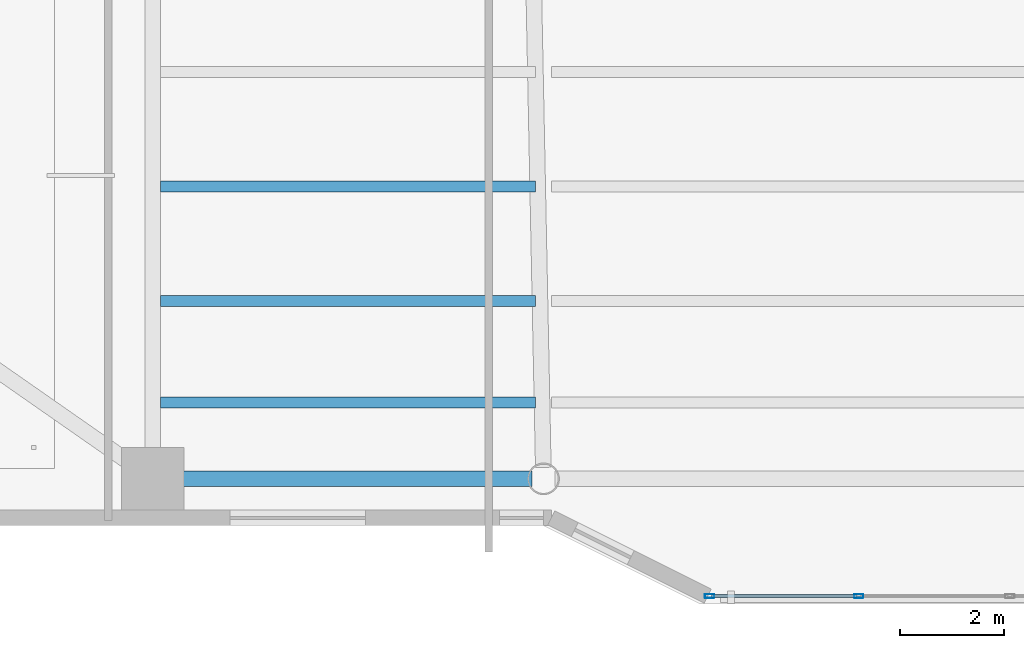
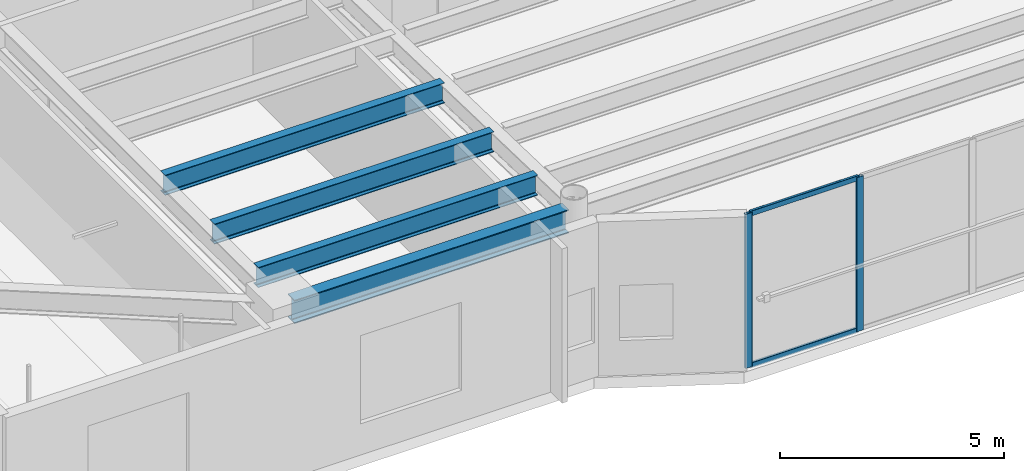
# One storey, part 3 of 40: 4 beams, 4 members, 1 element without a shape of its own.
"""IFC4 building model written with IfcOpenShell, lengths in metres."""

from ifc_helpers import new_model, si_unit, direction, frame, origin, origin_2d, place, context, subcontext, project, spatial, hollow_rectangle, i_section, extrude, material, layer, layer_set, material_profile, profile_set, type_object, element, aggregate, save


model = new_model("IFC4")

# Units and contexts
model_context = context("Model", 3, precision=1e-05, world=origin(), true_north=direction((0.0, 1.0)))
body_context = subcontext(model_context, "Body", "Model", "MODEL_VIEW")
ifc_project = project(units=[si_unit("LENGTHUNIT", "METRE"), si_unit("AREAUNIT", "SQUARE_METRE"), si_unit("VOLUMEUNIT", "CUBIC_METRE"), si_unit("PLANEANGLEUNIT", "RADIAN"), si_unit("MASSUNIT", "GRAM", prefix="KILO")], contexts=[model_context])

# Site, building, storey
site_placement = place(None, origin())
site = spatial("IfcSite", under=ifc_project, at=site_placement, CompositionType="ELEMENT")
building_placement = place(site_placement, origin())
building = spatial("IfcBuilding", under=site, at=building_placement, Name="Tarnavaz Court Tower", CompositionType="ELEMENT")
storey_placement = place(building_placement, frame((0.0, 0.0, 64.199951171875)))
storey = spatial("IfcBuildingStorey", under=building, at=storey_placement, Name="L17", CompositionType="ELEMENT", Elevation=64.199951171875)

# Beams
ifc_material_1 = material(Name="Steel S355", Category="steel")
ifc_material_profile_1 = material_profile(ifc_material_1, i_section(OverallWidth=0.2099609375, OverallDepth=0.550048828125, WebThickness=0.010986328125, FlangeThickness=0.01708984375, FilletRadius=0.02392578125, at=origin_2d()), Name="IPE 550")
ifc_profile_set_1 = profile_set([ifc_material_profile_1], Name="Steel S355")
beam_type_1 = type_object("IfcBeamType", Name="BM-J-IPE550", PredefinedType="JOIST", material=ifc_profile_set_1)
for number, where, z_axis, x_axis, name in (
    (1, (-14.85009765625, -17.18798828125, 3.925048828125), (1.0, 0.0, 0.0), (0.0, 1.0, 0.0), "L17 Beam JS3-1"),
    (2, (-14.85009765625, -19.384033203125, 3.925048828125), (1.0, 0.0, 0.0), (0.0, 1.0, 0.0), "L17 Beam JS4-1"),
    (3, (-14.85009765625, -21.3359375, 3.925048828125), (1.0, 0.0, 0.0), (0.0, 1.0, 0.0), "L17 Beam JS5-1"),
):
    element("IfcBeam", number, at=place(storey_placement, frame(where, z_axis=z_axis, x_axis=x_axis)), inside=storey, type_object=beam_type_1, Name=name, PredefinedType="JOIST", context=body_context, shape_type="SweptSolid", body=[
        extrude(i_section(OverallWidth=0.2099609375, OverallDepth=0.550048828125, WebThickness=0.010986328125, FlangeThickness=0.01708984375, FilletRadius=0.02392578125, at=origin_2d()), origin(), (0.0, 0.0, 1.0), 7.2001953125),
    ])
ifc_material_profile_2 = material_profile(ifc_material_1, i_section(OverallWidth=0.300048828125, OverallDepth=0.639892578125, WebThickness=0.013427734375, FlangeThickness=0.02587890625, FilletRadius=0.027099609375, at=origin_2d()), Name="HEA 650")
ifc_profile_set_2 = profile_set([ifc_material_profile_2], Name="Steel S355")
beam_type_2 = type_object("IfcBeamType", Name="BM-SP-HEA650", PredefinedType="SPANDREL", material=ifc_profile_set_2)
beam_placement = place(storey_placement, frame((-14.780029296875, -22.800048828125, 3.880126953125), z_axis=(1.0, 0.0, 0.0), x_axis=(0.0, 1.0, 0.0)))
element("IfcBeam", 4, at=beam_placement, inside=storey, type_object=beam_type_2, Name="L17 Beam PR-PS-1-PS-2", PredefinedType="SPANDREL", context=body_context, shape_type="SweptSolid", body=[
    extrude(i_section(OverallWidth=0.300048828125, OverallDepth=0.639892578125, WebThickness=0.013427734375, FlangeThickness=0.02587890625, FilletRadius=0.027099609375, at=origin_2d()), origin(), (0.0, 0.0, 1.0), 7.06005859375),
])

# Curtain wall, members
ifc_material_2 = material(Name="Anodised Aluminium 6063-T6 and Solar Low-E Glazing", Category="aluminium")
ifc_layer = layer(ifc_material_2, 0.179931640625)
ifc_layer_set = layer_set([ifc_layer], Name="Anodised Aluminium 6063-T6 and Solar Low-E Glazing")
curtain_wall_type = type_object("IfcCurtainWallType", Name="CW-SYS-02", PredefinedType="NOTDEFINED", material=ifc_layer_set)
curtain_wall_placement = place(storey_placement, origin())
curtain_wall = element("IfcCurtainWall", 5, at=curtain_wall_placement, inside=storey, type_object=curtain_wall_type, Name="L17 Iwan Prow Curtain Wall 17", PredefinedType="NOTDEFINED")
ifc_material_3 = material(Name="Anodised Aluminium 6063-T6", Category="aluminium")
ifc_material_profile_3 = material_profile(ifc_material_3, hollow_rectangle(XDim=0.074951171875, YDim=0.179931640625, WallThickness=0.0048828125, InnerFilletRadius=0.0048828125, OuterFilletRadius=0.010009765625, at=origin_2d()), Name="ALU RHS 180X75X5")
ifc_profile_set_3 = profile_set([ifc_material_profile_3], Name="Anodised Aluminium 6063-T6")
member_type_1 = type_object("IfcMemberType", Name="CW-MUL-180", PredefinedType="MULLION", material=ifc_profile_set_3)
member_1_placement = place(storey_placement, frame((-1.449951171875, -25.050048828125, 0.0), z_axis=(0.0, 0.0, 1.0), x_axis=(0.0, -1.0, 0.0)))
member_1 = element("IfcMember", 6, at=member_1_placement, type_object=member_type_1, Name="CW mullion 3", PredefinedType="MULLION", context=body_context, shape_type="SweptSolid", body=[
    extrude(hollow_rectangle(XDim=0.074951171875, YDim=0.179931640625, WallThickness=0.0048828125, InnerFilletRadius=0.0048828125, OuterFilletRadius=0.010009765625, at=origin_2d()), origin(), (0.0, 0.0, 1.0), 4.199951171875),
])
member_2_placement = place(storey_placement, frame((-4.3125, -25.050048828125, 0.0), z_axis=(0.0, 0.0, 1.0), x_axis=(0.0, -1.0, 0.0)))
member_2 = element("IfcMember", 7, at=member_2_placement, type_object=member_type_1, Name="CW mullion 4", PredefinedType="MULLION", context=body_context, shape_type="SweptSolid", body=[
    extrude(hollow_rectangle(XDim=0.074951171875, YDim=0.179931640625, WallThickness=0.0048828125, InnerFilletRadius=0.0048828125, OuterFilletRadius=0.010009765625, at=origin_2d()), origin(), (0.0, 0.0, 1.0), 4.199951171875),
])
ifc_material_profile_4 = material_profile(ifc_material_3, hollow_rectangle(XDim=0.06494140625, YDim=0.139892578125, WallThickness=0.00390625, InnerFilletRadius=0.00390625, OuterFilletRadius=0.008056640625, at=origin_2d()), Name="ALU RHS 140X65X4")
ifc_profile_set_4 = profile_set([ifc_material_profile_4], Name="Anodised Aluminium 6063-T6")
member_type_2 = type_object("IfcMemberType", Name="CW-TRN-140", PredefinedType="USERDEFINED", material=ifc_profile_set_4)
member_3_placement = place(storey_placement, frame((-1.487548828125, -25.050048828125, 0.032470703125), z_axis=(-1.0, 0.0, 0.0), x_axis=(0.0, -1.0, 0.0)))
member_3 = element("IfcMember", 8, at=member_3_placement, type_object=member_type_2, Name="CW transom 3.1", ObjectType="TRANSOM", PredefinedType="USERDEFINED", context=body_context, shape_type="SweptSolid", body=[
    extrude(hollow_rectangle(XDim=0.06494140625, YDim=0.139892578125, WallThickness=0.00390625, InnerFilletRadius=0.00390625, OuterFilletRadius=0.008056640625, at=origin_2d()), origin(), (0.0, 0.0, 1.0), 2.787353515625),
])
member_4_placement = place(storey_placement, frame((-1.487548828125, -25.050048828125, 4.16748046875), z_axis=(-1.0, 0.0, 0.0), x_axis=(0.0, -1.0, 0.0)))
member_4 = element("IfcMember", 9, at=member_4_placement, type_object=member_type_2, Name="CW transom 3.2", ObjectType="TRANSOM", PredefinedType="USERDEFINED", context=body_context, shape_type="SweptSolid", body=[
    extrude(hollow_rectangle(XDim=0.06494140625, YDim=0.139892578125, WallThickness=0.00390625, InnerFilletRadius=0.00390625, OuterFilletRadius=0.008056640625, at=origin_2d()), origin(), (0.0, 0.0, 1.0), 2.787353515625),
])
aggregate(curtain_wall, [member_1, member_2, member_3, member_4])

save(model, "model.ifc")
